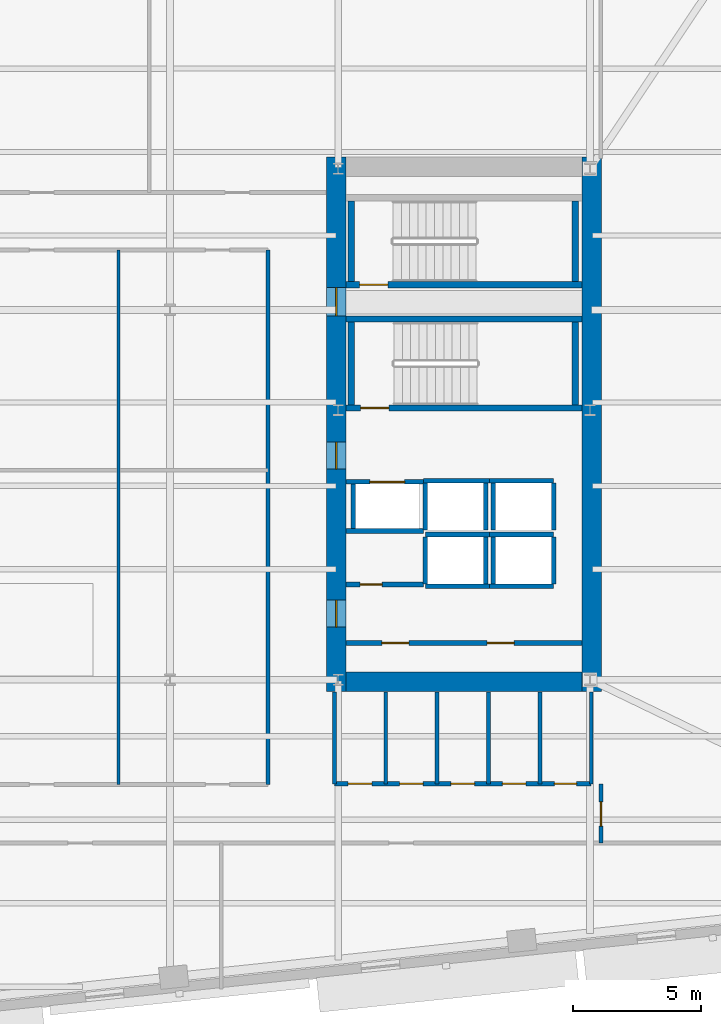
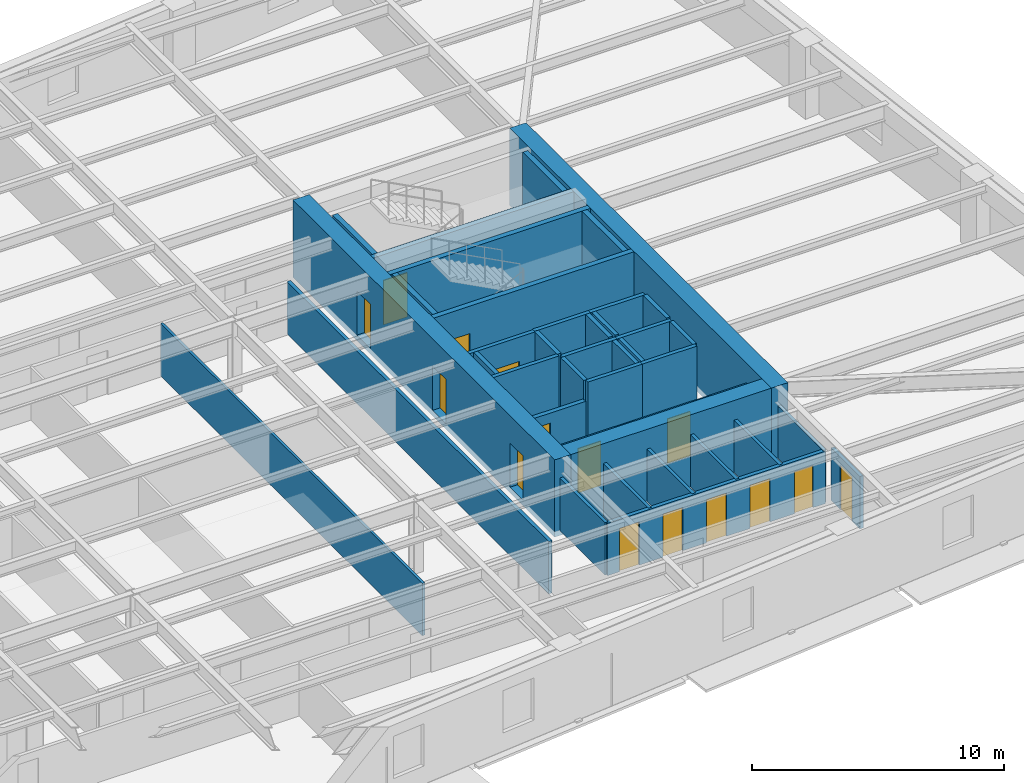
# One storey, part 6 of 12: 39 walls, 15 doors, 15 openings.
"""IFC4 building model written with IfcOpenShell, lengths in metres."""

from ifc_helpers import new_model, si_unit, direction, frame, frame_2d, origin, place, context, subcontext, project, spatial, rectangle, extrude, material, layer, layer_set, type_object, element, fill, save


model = new_model("IFC4")

# Units and contexts
model_context = context("Model", 3, precision=1e-05, world=origin(), true_north=direction((0.0, 1.0)))
body_context = subcontext(model_context, "Body", "Model", "MODEL_VIEW")
ifc_project = project(units=[si_unit("LENGTHUNIT", "METRE"), si_unit("AREAUNIT", "SQUARE_METRE"), si_unit("VOLUMEUNIT", "CUBIC_METRE"), si_unit("PLANEANGLEUNIT", "RADIAN"), si_unit("MASSUNIT", "GRAM", prefix="KILO")], contexts=[model_context])

# Site, building, storey
site_placement = place(None, origin())
site = spatial("IfcSite", under=ifc_project, at=site_placement, CompositionType="ELEMENT")
building_placement = place(site_placement, origin())
building = spatial("IfcBuilding", under=site, at=building_placement, Name="Kolvaren Arena Tower", CompositionType="ELEMENT")
storey_placement = place(building_placement, frame((0.0, 0.0, 138.25)))
storey = spatial("IfcBuildingStorey", under=building, at=storey_placement, Name="L32", CompositionType="ELEMENT", Elevation=138.25)

# Wall
ifc_material_1 = material(Name="Gypsum board acoustic assembly", Category="gypsum")
ifc_layer_1 = layer(ifc_material_1, 0.159912109375)
ifc_layer_set_1 = layer_set([ifc_layer_1], Name="Gypsum board acoustic assembly")
wall_type_1 = type_object("IfcWallType", Name="CORR-160", PredefinedType="PARTITIONING", material=ifc_layer_set_1)
wall_1_placement = place(storey_placement, frame((47.820068359375, 15.3798828125, 0.0), z_axis=(0.0, 0.0, 1.0), x_axis=(0.0, 1.0, 0.0)))
element("IfcWall", 1, at=wall_1_placement, inside=storey, type_object=wall_type_1, Name="Interior Partition Wall (L32)", PredefinedType="PARTITIONING", context=body_context, shape_type="SweptSolid", body=[
    extrude(rectangle(XDim=20.800048828125, YDim=0.159912109375, at=frame_2d((10.39990234375, 0.0))), origin(), (0.0, 0.0, 1.0), 2.5400390625),
])

# Wall, opening, door
wall_2_placement = place(storey_placement, frame((60.780029296875, 13.10009765625, 0.0), z_axis=(0.0, 0.0, 1.0), x_axis=(0.0, 1.0, 0.0)))
wall_2 = element("IfcWall", 2, at=wall_2_placement, inside=storey, type_object=wall_type_1, Name="Interior Partition Wall (L32)", PredefinedType="PARTITIONING", context=body_context, shape_type="SweptSolid", body=[
    extrude(rectangle(XDim=2.2998046875, YDim=0.159912109375, at=frame_2d((1.14990234375, 0.0))), origin(), (0.0, 0.0, 1.0), 2.5400390625),
])
opening_1_placement = place(wall_2_placement, frame((0.64990234375, 0.0, 0.0)))
opening_1 = element("IfcOpeningElement", 3, at=opening_1_placement, cuts=wall_2, Name="Opening D05", PredefinedType="OPENING", context=body_context, shape_type="SweptSolid", body=[
    extrude(rectangle(XDim=0.949951171875, YDim=2.14990234375, at=frame_2d((0.47509765625, 1.074951171875))), frame((0.0, 0.08984375, 0.0), z_axis=(0.0, -1.0, 0.0), x_axis=(1.0, 0.0, 0.0)), (0.0, 0.0, 1.0), 0.179931640625),
])
ifc_material_2 = material(Name="Solid-core oak acoustic office door", Category="wood")
door_type_1 = type_object("IfcDoorType", Name="DOOR-OF-095", OperationType="NOTDEFINED", PredefinedType="DOOR", material=ifc_material_2)
door_1_placement = place(opening_1_placement, origin())
door_1 = element("IfcDoor", 4, at=door_1_placement, inside=storey, type_object=door_type_1, Name="East Wing Studio Door (L32)", OperationType="SINGLE_SWING_RIGHT", OverallHeight=2.14990234375, OverallWidth=0.949951171875, PredefinedType="DOOR", context=body_context, shape_type="SweptSolid", body=[
    extrude(rectangle(XDim=0.949951171875, YDim=2.14990234375, at=frame_2d((0.47509765625, 1.074951171875))), frame((0.0, 0.02490234375, 0.0), z_axis=(0.0, -1.0, 0.0), x_axis=(1.0, 0.0, 0.0)), (0.0, 0.0, 1.0), 0.050048828125),
])
fill(opening_1, door_1)

# Wall, openings, doors
ifc_material_3 = material(Name="Concrete 70 MPa", Category="concrete")
ifc_layer_2 = layer(ifc_material_3, 0.75)
ifc_layer_set_2 = layer_set([ifc_layer_2], Name="Concrete 70 MPa")
wall_type_2 = type_object("IfcWallType", Name="CWALL-750", PredefinedType="SHEAR", material=ifc_layer_set_2)
wall_3_placement = place(storey_placement, frame((50.47509765625, 19.0, -0.27001953125), z_axis=(0.0, 0.0, 1.0), x_axis=(0.0, 1.0, 0.0)))
wall_3 = element("IfcWall", 5, at=wall_3_placement, inside=storey, type_object=wall_type_2, Name="Core Shear Wall EC-WEST (L32)", PredefinedType="SHEAR", context=body_context, shape_type="SweptSolid", body=[
    extrude(rectangle(XDim=20.800048828125, YDim=0.75, at=frame_2d((10.39990234375, 0.0))), origin(), (0.0, 0.0, 1.0), 3.75),
])
opening_2_placement = place(wall_3_placement, frame((2.5, 0.0, 0.27001953125)))
opening_2 = element("IfcOpeningElement", 6, at=opening_2_placement, cuts=wall_3, Name="Opening D04", PredefinedType="OPENING", context=body_context, shape_type="SweptSolid", body=[
    extrude(rectangle(XDim=1.050048828125, YDim=2.14990234375, at=frame_2d((0.52490234375, 1.074951171875))), frame((0.0, 0.385009765625, 0.0), z_axis=(0.0, -1.0, 0.0), x_axis=(1.0, 0.0, 0.0)), (0.0, 0.0, 1.0), 0.77001953125),
])
opening_3_placement = place(wall_3_placement, frame((8.64990234375, 0.0, 0.27001953125)))
opening_3 = element("IfcOpeningElement", 7, at=opening_3_placement, cuts=wall_3, Name="Opening D04", PredefinedType="OPENING", context=body_context, shape_type="SweptSolid", body=[
    extrude(rectangle(XDim=1.050048828125, YDim=2.14990234375, at=frame_2d((0.52490234375, 1.074951171875))), frame((0.0, 0.385009765625, 0.0), z_axis=(0.0, -1.0, 0.0), x_axis=(1.0, 0.0, 0.0)), (0.0, 0.0, 1.0), 0.77001953125),
])
opening_4_placement = place(wall_3_placement, frame((14.6201171875, 0.0, 0.27001953125)))
opening_4 = element("IfcOpeningElement", 8, at=opening_4_placement, cuts=wall_3, Name="Opening D03", PredefinedType="OPENING", context=body_context, shape_type="SweptSolid", body=[
    extrude(rectangle(XDim=1.10009765625, YDim=2.14990234375, at=frame_2d((0.550048828125, 1.074951171875))), frame((0.0, 0.385009765625, 0.0), z_axis=(0.0, -1.0, 0.0), x_axis=(1.0, 0.0, 0.0)), (0.0, 0.0, 1.0), 0.77001953125),
])
ifc_material_4 = material(Name="Fire-rated steel lobby door", Category="steel")
door_type_2 = type_object("IfcDoorType", Name="DOOR-FF-105", OperationType="NOTDEFINED", PredefinedType="DOOR", material=ifc_material_4)
door_2_placement = place(opening_2_placement, origin())
door_2 = element("IfcDoor", 9, at=door_2_placement, inside=storey, type_object=door_type_2, Name="East Lift Lobby Fire Door (L32)", OperationType="SINGLE_SWING_RIGHT", OverallHeight=2.14990234375, OverallWidth=1.050048828125, PredefinedType="DOOR", context=body_context, shape_type="SweptSolid", body=[
    extrude(rectangle(XDim=1.050048828125, YDim=2.14990234375, at=frame_2d((0.52490234375, 1.074951171875))), frame((0.0, 0.02490234375, 0.0), z_axis=(0.0, -1.0, 0.0), x_axis=(1.0, 0.0, 0.0)), (0.0, 0.0, 1.0), 0.050048828125),
])
fill(opening_2, door_2)
door_3_placement = place(opening_3_placement, origin())
door_3 = element("IfcDoor", 10, at=door_3_placement, inside=storey, type_object=door_type_2, Name="East Firefighter Vestibule Door (L32)", OperationType="SINGLE_SWING_LEFT", OverallHeight=2.14990234375, OverallWidth=1.050048828125, PredefinedType="DOOR", context=body_context, shape_type="SweptSolid", body=[
    extrude(rectangle(XDim=1.050048828125, YDim=2.14990234375, at=frame_2d((0.52490234375, 1.074951171875))), frame((0.0, 0.02490234375, 0.0), z_axis=(0.0, -1.0, 0.0), x_axis=(1.0, 0.0, 0.0)), (0.0, 0.0, 1.0), 0.050048828125),
])
fill(opening_3, door_3)
ifc_material_5 = material(Name="Fire-rated steel exit stair door", Category="steel")
door_type_3 = type_object("IfcDoorType", Name="DOOR-ST-110", OperationType="NOTDEFINED", PredefinedType="DOOR", material=ifc_material_5)
door_4_placement = place(opening_4_placement, origin())
door_4 = element("IfcDoor", 11, at=door_4_placement, inside=storey, type_object=door_type_3, Name="Stair ST-E2 Vestibule Fire Door (L32)", OperationType="SINGLE_SWING_LEFT", OverallHeight=2.14990234375, OverallWidth=1.10009765625, PredefinedType="DOOR", context=body_context, shape_type="SweptSolid", body=[
    extrude(rectangle(XDim=1.10009765625, YDim=2.14990234375, at=frame_2d((0.550048828125, 1.074951171875))), frame((0.0, 0.02490234375, 0.0), z_axis=(0.0, -1.0, 0.0), x_axis=(1.0, 0.0, 0.0)), (0.0, 0.0, 1.0), 0.050048828125),
])
fill(opening_4, door_4)

# Walls
wall_4_placement = place(storey_placement, frame((60.425048828125, 19.0, -0.27001953125), z_axis=(0.0, 0.0, 1.0), x_axis=(0.0, 1.0, 0.0)))
element("IfcWall", 12, at=wall_4_placement, inside=storey, type_object=wall_type_2, Name="Core Shear Wall EC-EAST (L32)", PredefinedType="SHEAR", context=body_context, shape_type="SweptSolid", body=[
    extrude(rectangle(XDim=20.800048828125, YDim=0.75, at=frame_2d((10.39990234375, 0.0))), origin(), (0.0, 0.0, 1.0), 3.75),
])
wall_5_placement = place(storey_placement, frame((50.85009765625, 19.375, -0.27001953125), z_axis=(0.0, 0.0, 1.0), x_axis=(1.0, 0.0, 0.0)))
element("IfcWall", 13, at=wall_5_placement, inside=storey, type_object=wall_type_2, Name="Core Shear Wall EC-SOUTH (L32)", PredefinedType="SHEAR", context=body_context, shape_type="SweptSolid", body=[
    extrude(rectangle(XDim=9.199951171875, YDim=0.75, at=frame_2d((4.60009765625, 0.0))), origin(), (0.0, 0.0, 1.0), 3.75),
])

# Wall, openings, doors
ifc_material_6 = material(Name="Concrete 40 MPa", Category="concrete")
ifc_layer_3 = layer(ifc_material_6, 0.199951171875)
ifc_layer_set_3 = layer_set([ifc_layer_3], Name="Concrete 40 MPa")
wall_type_3 = type_object("IfcWallType", Name="LOBBY-200", PredefinedType="SOLIDWALL", material=ifc_layer_set_3)
wall_6_placement = place(storey_placement, frame((50.85009765625, 20.8798828125, 0.0), z_axis=(0.0, 0.0, 1.0), x_axis=(1.0, 0.0, 0.0)))
wall_6 = element("IfcWall", 14, at=wall_6_placement, inside=storey, type_object=wall_type_3, Name="Core Shaft Wall (L32)", PredefinedType="SOLIDWALL", context=body_context, shape_type="SweptSolid", body=[
    extrude(rectangle(XDim=9.199951171875, YDim=0.199951171875, at=frame_2d((4.60009765625, 0.0))), origin(), (0.0, 0.0, 1.0), 2.5400390625),
])
opening_5_placement = place(wall_6_placement, frame((1.39990234375, 0.0, 0.0)))
opening_5 = element("IfcOpeningElement", 15, at=opening_5_placement, cuts=wall_6, Name="Opening D04", PredefinedType="OPENING", context=body_context, shape_type="SweptSolid", body=[
    extrude(rectangle(XDim=1.050048828125, YDim=2.14990234375, at=frame_2d((0.52490234375, 1.074951171875))), frame((0.0, 0.10986328125, 0.0), z_axis=(0.0, -1.0, 0.0), x_axis=(1.0, 0.0, 0.0)), (0.0, 0.0, 1.0), 0.219970703125),
])
opening_6_placement = place(wall_6_placement, frame((5.5, 0.0, 0.0)))
opening_6 = element("IfcOpeningElement", 16, at=opening_6_placement, cuts=wall_6, Name="Opening D04", PredefinedType="OPENING", context=body_context, shape_type="SweptSolid", body=[
    extrude(rectangle(XDim=1.050048828125, YDim=2.14990234375, at=frame_2d((0.52490234375, 1.074951171875))), frame((0.0, 0.10986328125, 0.0), z_axis=(0.0, -1.0, 0.0), x_axis=(1.0, 0.0, 0.0)), (0.0, 0.0, 1.0), 0.219970703125),
])
door_5_placement = place(opening_5_placement, origin())
door_5 = element("IfcDoor", 17, at=door_5_placement, inside=storey, type_object=door_type_2, Name="East Telecom Room Fire Door (L32)", OperationType="SINGLE_SWING_RIGHT", OverallHeight=2.14990234375, OverallWidth=1.050048828125, PredefinedType="DOOR", context=body_context, shape_type="SweptSolid", body=[
    extrude(rectangle(XDim=1.050048828125, YDim=2.14990234375, at=frame_2d((0.52490234375, 1.074951171875))), frame((0.0, 0.02490234375, 0.0), z_axis=(0.0, -1.0, 0.0), x_axis=(1.0, 0.0, 0.0)), (0.0, 0.0, 1.0), 0.050048828125),
])
fill(opening_5, door_5)
door_6_placement = place(opening_6_placement, origin())
door_6 = element("IfcDoor", 18, at=door_6_placement, inside=storey, type_object=door_type_2, Name="East Records Room Fire Door (L32)", OperationType="SINGLE_SWING_LEFT", OverallHeight=2.14990234375, OverallWidth=1.050048828125, PredefinedType="DOOR", context=body_context, shape_type="SweptSolid", body=[
    extrude(rectangle(XDim=1.050048828125, YDim=2.14990234375, at=frame_2d((0.52490234375, 1.074951171875))), frame((0.0, 0.02490234375, 0.0), z_axis=(0.0, -1.0, 0.0), x_axis=(1.0, 0.0, 0.0)), (0.0, 0.0, 1.0), 0.050048828125),
])
fill(opening_6, door_6)

# Wall, opening, door
wall_7_placement = place(storey_placement, frame((50.85009765625, 23.159912109375, 0.0), z_axis=(0.0, 0.0, 1.0), x_axis=(1.0, 0.0, 0.0)))
wall_7 = element("IfcWall", 19, at=wall_7_placement, inside=storey, type_object=wall_type_3, Name="Core Shaft Wall (L32)", PredefinedType="SOLIDWALL", context=body_context, shape_type="SweptSolid", body=[
    extrude(rectangle(XDim=3.02978515625, YDim=0.199951171875, at=frame_2d((1.514892578125, 0.0))), origin(), (0.0, 0.0, 1.0), 2.5400390625),
])
opening_7_placement = place(wall_7_placement, frame((0.550048828125, 0.0, 0.0)))
opening_7 = element("IfcOpeningElement", 20, at=opening_7_placement, cuts=wall_7, Name="Opening D09", PredefinedType="OPENING", context=body_context, shape_type="SweptSolid", body=[
    extrude(rectangle(XDim=0.860107421875, YDim=2.050048828125, at=frame_2d((0.43017578125, 1.02490234375))), frame((0.0, 0.10986328125, 0.0), z_axis=(0.0, -1.0, 0.0), x_axis=(1.0, 0.0, 0.0)), (0.0, 0.0, 1.0), 0.219970703125),
])
ifc_material_7 = material(Name="Fire-rated steel riser access door", Category="steel")
door_type_4 = type_object("IfcDoorType", Name="DOOR-RS-086", OperationType="NOTDEFINED", PredefinedType="DOOR", material=ifc_material_7)
door_7_placement = place(opening_7_placement, origin())
door_7 = element("IfcDoor", 21, at=door_7_placement, inside=storey, type_object=door_type_4, Name="East AV Riser Closet Door (L32)", OperationType="SINGLE_SWING_LEFT", OverallHeight=2.050048828125, OverallWidth=0.860107421875, PredefinedType="DOOR", context=body_context, shape_type="SweptSolid", body=[
    extrude(rectangle(XDim=0.860107421875, YDim=2.050048828125, at=frame_2d((0.43017578125, 1.02490234375))), frame((0.0, 0.02490234375, 0.0), z_axis=(0.0, -1.0, 0.0), x_axis=(1.0, 0.0, 0.0)), (0.0, 0.0, 1.0), 0.050048828125),
])
fill(opening_7, door_7)

# Wall
ifc_material_8 = material(Name="Gypsum board partition assembly", Category="gypsum")
ifc_layer_4 = layer(ifc_material_8, 0.114990234375)
ifc_layer_set_4 = layer_set([ifc_layer_4], Name="Gypsum board partition assembly")
wall_type_4 = type_object("IfcWallType", Name="PART-115", PredefinedType="PARTITIONING", material=ifc_layer_set_4)
wall_8_placement = place(storey_placement, frame((42.0, 15.3798828125, 0.0), z_axis=(0.0, 0.0, 1.0), x_axis=(0.0, 1.0, 0.0)))
element("IfcWall", 22, at=wall_8_placement, inside=storey, type_object=wall_type_4, Name="Interior Partition Wall (L32)", PredefinedType="PARTITIONING", context=body_context, shape_type="SweptSolid", body=[
    extrude(rectangle(XDim=20.800048828125, YDim=0.114990234375, at=frame_2d((10.39990234375, 0.0))), origin(), (0.0, 0.0, 1.0), 2.5400390625),
])

# Wall, opening, door
ifc_material_9 = material(Name="Concrete 45 MPa", Category="concrete")
ifc_layer_5 = layer(ifc_material_9, 0.25)
ifc_layer_set_5 = layer_set([ifc_layer_5], Name="Concrete 45 MPa")
wall_type_5 = type_object("IfcWallType", Name="SHAFT-250", PredefinedType="SOLIDWALL", material=ifc_layer_set_5)
wall_9_placement = place(storey_placement, frame((60.050048828125, 30.030029296875, 0.0), z_axis=(0.0, 0.0, 1.0), x_axis=(-1.0, 0.0, 0.0)))
wall_9 = element("IfcWall", 23, at=wall_9_placement, inside=storey, type_object=wall_type_5, Name="Core Shaft Wall (L32)", PredefinedType="SOLIDWALL", context=body_context, shape_type="SweptSolid", body=[
    extrude(rectangle(XDim=9.199951171875, YDim=0.239990234375, at=frame_2d((4.60009765625, 0.0))), origin(), (0.0, 0.0, 1.0), 3.47998046875),
])
opening_8_placement = place(wall_9_placement, frame((7.530029296875, 0.0, 0.0)))
opening_8 = element("IfcOpeningElement", 24, at=opening_8_placement, cuts=wall_9, Name="Opening D03", PredefinedType="OPENING", context=body_context, shape_type="SweptSolid", body=[
    extrude(rectangle(XDim=1.10009765625, YDim=2.14990234375, at=frame_2d((0.550048828125, 1.074951171875))), frame((0.0, 0.1298828125, 0.0), z_axis=(0.0, -1.0, 0.0), x_axis=(1.0, 0.0, 0.0)), (0.0, 0.0, 1.0), 0.260009765625),
])
door_8_placement = place(opening_8_placement, origin())
door_8 = element("IfcDoor", 25, at=door_8_placement, inside=storey, type_object=door_type_3, Name="Stair ST-E1 Fire Door (L32)", OperationType="SINGLE_SWING_LEFT", OverallHeight=2.14990234375, OverallWidth=1.10009765625, PredefinedType="DOOR", context=body_context, shape_type="SweptSolid", body=[
    extrude(rectangle(XDim=1.10009765625, YDim=2.14990234375, at=frame_2d((0.550048828125, 1.074951171875))), frame((0.0, 0.02490234375, 0.0), z_axis=(0.0, -1.0, 0.0), x_axis=(1.0, 0.0, 0.0)), (0.0, 0.0, 1.0), 0.050048828125),
])
fill(opening_8, door_8)

# Walls
wall_10_placement = place(storey_placement, frame((50.85009765625, 33.5, 0.0), z_axis=(0.0, 0.0, 1.0), x_axis=(1.0, 0.0, 0.0)))
element("IfcWall", 26, at=wall_10_placement, inside=storey, type_object=wall_type_5, Name="Core Shaft Wall (L32)", PredefinedType="SOLIDWALL", context=body_context, shape_type="SweptSolid", body=[
    extrude(rectangle(XDim=9.199951171875, YDim=0.239990234375, at=frame_2d((4.60009765625, 0.0))), origin(), (0.0, 0.0, 1.0), 3.47998046875),
])
for number, where, z_axis, x_axis, name in (
    (27, (51.06005859375, 30.14990234375, 0.0), (0.0, 0.0, 1.0), (0.0, 1.0, 0.0), "Core Shaft Wall (L32)"),
    (28, (59.780029296875, 30.14990234375, 0.0), (0.0, 0.0, 1.0), (0.0, 1.0, 0.0), "Core Shaft Wall (L32)"),
):
    element("IfcWall", number, at=place(storey_placement, frame(where, z_axis=z_axis, x_axis=x_axis)), inside=storey, type_object=wall_type_5, Name=name, PredefinedType="SOLIDWALL", context=body_context, shape_type="SweptSolid", body=[
        extrude(rectangle(XDim=3.22998046875, YDim=0.239990234375, at=frame_2d((1.614990234375, 0.0))), origin(), (0.0, 0.0, 1.0), 3.47998046875),
    ])

# Wall, opening, door
wall_11_placement = place(storey_placement, frame((60.050048828125, 34.830078125, 0.0), z_axis=(0.0, 0.0, 1.0), x_axis=(-1.0, 0.0, 0.0)))
wall_11 = element("IfcWall", 29, at=wall_11_placement, inside=storey, type_object=wall_type_5, Name="Core Shaft Wall (L32)", PredefinedType="SOLIDWALL", context=body_context, shape_type="SweptSolid", body=[
    extrude(rectangle(XDim=9.199951171875, YDim=0.239990234375, at=frame_2d((4.60009765625, 0.0))), origin(), (0.0, 0.0, 1.0), 3.47998046875),
])
opening_9_placement = place(wall_11_placement, frame((7.570068359375, 0.0, 0.0)))
opening_9 = element("IfcOpeningElement", 30, at=opening_9_placement, cuts=wall_11, Name="Opening D03", PredefinedType="OPENING", context=body_context, shape_type="SweptSolid", body=[
    extrude(rectangle(XDim=1.10009765625, YDim=2.14990234375, at=frame_2d((0.550048828125, 1.074951171875))), frame((0.0, 0.1298828125, 0.0), z_axis=(0.0, -1.0, 0.0), x_axis=(1.0, 0.0, 0.0)), (0.0, 0.0, 1.0), 0.260009765625),
])
door_9_placement = place(opening_9_placement, origin())
door_9 = element("IfcDoor", 31, at=door_9_placement, inside=storey, type_object=door_type_3, Name="Stair ST-E2 Fire Door (L32)", OperationType="SINGLE_SWING_LEFT", OverallHeight=2.14990234375, OverallWidth=1.10009765625, PredefinedType="DOOR", context=body_context, shape_type="SweptSolid", body=[
    extrude(rectangle(XDim=1.10009765625, YDim=2.14990234375, at=frame_2d((0.550048828125, 1.074951171875))), frame((0.0, 0.02490234375, 0.0), z_axis=(0.0, -1.0, 0.0), x_axis=(1.0, 0.0, 0.0)), (0.0, 0.0, 1.0), 0.050048828125),
])
fill(opening_9, door_9)

# Walls
for number, where, z_axis, x_axis, name in (
    (32, (51.06005859375, 34.949951171875, 0.0), (0.0, 0.0, 1.0), (0.0, 1.0, 0.0), "Core Shaft Wall (L32)"),
    (33, (59.780029296875, 34.949951171875, 0.0), (0.0, 0.0, 1.0), (0.0, 1.0, 0.0), "Core Shaft Wall (L32)"),
):
    element("IfcWall", number, at=place(storey_placement, frame(where, z_axis=z_axis, x_axis=x_axis)), inside=storey, type_object=wall_type_5, Name=name, PredefinedType="SOLIDWALL", context=body_context, shape_type="SweptSolid", body=[
        extrude(rectangle(XDim=3.150146484375, YDim=0.239990234375, at=frame_2d((1.5751953125, 0.0))), origin(), (0.0, 0.0, 1.0), 3.47998046875),
    ])
for number, where, z_axis, x_axis, name in (
    (34, (53.93994140625, 25.10498046875, 0.0), (0.0, 0.0, 1.0), (1.0, 0.0, 0.0), "Core Shaft Wall (L32)"),
    (35, (53.93994140625, 23.094970703125, 0.0), (0.0, 0.0, 1.0), (1.0, 0.0, 0.0), "Core Shaft Wall (L32)"),
):
    element("IfcWall", number, at=place(storey_placement, frame(where, z_axis=z_axis, x_axis=x_axis)), inside=storey, type_object=wall_type_5, Name=name, PredefinedType="SOLIDWALL", context=body_context, shape_type="SweptSolid", body=[
        extrude(rectangle(XDim=2.5, YDim=0.179931640625, at=frame_2d((1.25, 0.0))), origin(), (0.0, 0.0, 1.0), 3.47998046875),
    ])
for number, where, z_axis, x_axis, name in (
    (36, (53.93994140625, 23.18505859375, 0.0), (0.0, 0.0, 1.0), (0.0, 1.0, 0.0), "Core Shaft Wall (L32)"),
    (37, (56.300048828125, 23.18505859375, 0.0), (0.0, 0.0, 1.0), (0.0, 1.0, 0.0), "Core Shaft Wall (L32)"),
):
    element("IfcWall", number, at=place(storey_placement, frame(where, z_axis=z_axis, x_axis=x_axis)), inside=storey, type_object=wall_type_5, Name=name, PredefinedType="SOLIDWALL", context=body_context, shape_type="SweptSolid", body=[
        extrude(rectangle(XDim=1.829833984375, YDim=0.179931640625, at=frame_2d((0.9150390625, 0.0))), origin(), (0.0, 0.0, 1.0), 3.47998046875),
    ])
for number, where, z_axis, x_axis, name in (
    (38, (56.43994140625, 25.10498046875, 0.0), (0.0, 0.0, 1.0), (1.0, 0.0, 0.0), "Core Shaft Wall (L32)"),
    (39, (56.43994140625, 23.094970703125, 0.0), (0.0, 0.0, 1.0), (1.0, 0.0, 0.0), "Core Shaft Wall (L32)"),
):
    element("IfcWall", number, at=place(storey_placement, frame(where, z_axis=z_axis, x_axis=x_axis)), inside=storey, type_object=wall_type_5, Name=name, PredefinedType="SOLIDWALL", context=body_context, shape_type="SweptSolid", body=[
        extrude(rectangle(XDim=2.5, YDim=0.179931640625, at=frame_2d((1.25, 0.0))), origin(), (0.0, 0.0, 1.0), 3.47998046875),
    ])
for number, where, z_axis, x_axis, name in (
    (40, (56.580078125, 23.18505859375, 0.0), (0.0, 0.0, 1.0), (0.0, 1.0, 0.0), "Core Shaft Wall (L32)"),
    (41, (58.93994140625, 23.18505859375, 0.0), (0.0, 0.0, 1.0), (0.0, 1.0, 0.0), "Core Shaft Wall (L32)"),
):
    element("IfcWall", number, at=place(storey_placement, frame(where, z_axis=z_axis, x_axis=x_axis)), inside=storey, type_object=wall_type_5, Name=name, PredefinedType="SOLIDWALL", context=body_context, shape_type="SweptSolid", body=[
        extrude(rectangle(XDim=1.829833984375, YDim=0.179931640625, at=frame_2d((0.9150390625, 0.0))), origin(), (0.0, 0.0, 1.0), 3.47998046875),
    ])
wall_12_placement = place(storey_placement, frame((53.864990234375, 27.205078125, 0.0), z_axis=(0.0, 0.0, 1.0), x_axis=(1.0, 0.0, 0.0)))
element("IfcWall", 42, at=wall_12_placement, inside=storey, type_object=wall_type_5, Name="Core Shaft Wall (L32)", PredefinedType="SOLIDWALL", context=body_context, shape_type="SweptSolid", body=[
    extrude(rectangle(XDim=2.574951171875, YDim=0.179931640625, at=frame_2d((1.28759765625, 0.0))), origin(), (0.0, 0.0, 1.0), 3.47998046875),
])
for number, where, z_axis, x_axis, name in (
    (43, (53.93994140625, 25.284912109375, 0.0), (0.0, 0.0, 1.0), (0.0, 1.0, 0.0), "Core Shaft Wall (L32)"),
    (44, (56.300048828125, 25.284912109375, 0.0), (0.0, 0.0, 1.0), (0.0, 1.0, 0.0), "Core Shaft Wall (L32)"),
):
    element("IfcWall", number, at=place(storey_placement, frame(where, z_axis=z_axis, x_axis=x_axis)), inside=storey, type_object=wall_type_5, Name=name, PredefinedType="SOLIDWALL", context=body_context, shape_type="SweptSolid", body=[
        extrude(rectangle(XDim=1.830078125, YDim=0.179931640625, at=frame_2d((0.9150390625, 0.0))), origin(), (0.0, 0.0, 1.0), 3.47998046875),
    ])
wall_13_placement = place(storey_placement, frame((56.43994140625, 27.205078125, 0.0), z_axis=(0.0, 0.0, 1.0), x_axis=(1.0, 0.0, 0.0)))
element("IfcWall", 45, at=wall_13_placement, inside=storey, type_object=wall_type_5, Name="Core Shaft Wall (L32)", PredefinedType="SOLIDWALL", context=body_context, shape_type="SweptSolid", body=[
    extrude(rectangle(XDim=2.5, YDim=0.179931640625, at=frame_2d((1.25, 0.0))), origin(), (0.0, 0.0, 1.0), 3.47998046875),
])
for number, where, z_axis, x_axis, name in (
    (46, (56.580078125, 25.284912109375, 0.0), (0.0, 0.0, 1.0), (0.0, 1.0, 0.0), "Core Shaft Wall (L32)"),
    (47, (58.93994140625, 25.284912109375, 0.0), (0.0, 0.0, 1.0), (0.0, 1.0, 0.0), "Core Shaft Wall (L32)"),
):
    element("IfcWall", number, at=place(storey_placement, frame(where, z_axis=z_axis, x_axis=x_axis)), inside=storey, type_object=wall_type_5, Name=name, PredefinedType="SOLIDWALL", context=body_context, shape_type="SweptSolid", body=[
        extrude(rectangle(XDim=1.830078125, YDim=0.179931640625, at=frame_2d((0.9150390625, 0.0))), origin(), (0.0, 0.0, 1.0), 3.47998046875),
    ])

# Wall, opening, door
wall_14_placement = place(storey_placement, frame((50.85009765625, 27.155029296875, 0.0), z_axis=(0.0, 0.0, 1.0), x_axis=(1.0, 0.0, 0.0)))
wall_14 = element("IfcWall", 48, at=wall_14_placement, inside=storey, type_object=wall_type_5, Name="Core Shaft Wall (L32)", PredefinedType="SOLIDWALL", context=body_context, shape_type="SweptSolid", body=[
    extrude(rectangle(XDim=3.014892578125, YDim=0.179931640625, at=frame_2d((1.50732421875, 0.0))), origin(), (0.0, 0.0, 1.0), 3.47998046875),
])
opening_10_placement = place(wall_14_placement, frame((0.93505859375, 0.0, 0.0)))
opening_10 = element("IfcOpeningElement", 49, at=opening_10_placement, cuts=wall_14, Name="Opening LD2", PredefinedType="OPENING", context=body_context, shape_type="SweptSolid", body=[
    extrude(rectangle(XDim=1.35009765625, YDim=2.300048828125, at=frame_2d((0.675048828125, 1.14990234375))), frame((0.0, 0.099853515625, 0.0), z_axis=(0.0, -1.0, 0.0), x_axis=(1.0, 0.0, 0.0)), (0.0, 0.0, 1.0), 0.199951171875),
])
ifc_material_10 = material(Name="Stainless steel firefighter lift landing door", Category="steel")
door_type_5 = type_object("IfcDoorType", Name="DOOR-LD-135", OperationType="DOUBLE_DOOR_SLIDING", PredefinedType="DOOR", material=ifc_material_10)
door_10_placement = place(opening_10_placement, origin())
door_10 = element("IfcDoor", 50, at=door_10_placement, inside=storey, type_object=door_type_5, Name="Firefighter Lift FF-E1 Landing Door (L32)", OperationType="DOUBLE_DOOR_SLIDING", OverallHeight=2.300048828125, OverallWidth=1.35009765625, PredefinedType="DOOR", context=body_context, shape_type="SweptSolid", body=[
    extrude(rectangle(XDim=1.35009765625, YDim=2.300048828125, at=frame_2d((0.675048828125, 1.14990234375))), frame((0.0, 0.02490234375, 0.0), z_axis=(0.0, -1.0, 0.0), x_axis=(1.0, 0.0, 0.0)), (0.0, 0.0, 1.0), 0.050048828125),
])
fill(opening_10, door_10)

# Walls
wall_15_placement = place(storey_placement, frame((50.85009765625, 25.2451171875, 0.0), z_axis=(0.0, 0.0, 1.0), x_axis=(1.0, 0.0, 0.0)))
element("IfcWall", 51, at=wall_15_placement, inside=storey, type_object=wall_type_5, Name="Core Shaft Wall (L32)", PredefinedType="SOLIDWALL", context=body_context, shape_type="SweptSolid", body=[
    extrude(rectangle(XDim=3.014892578125, YDim=0.179931640625, at=frame_2d((1.50732421875, 0.0))), origin(), (0.0, 0.0, 1.0), 3.47998046875),
])
wall_16_placement = place(storey_placement, frame((51.1298828125, 25.3349609375, 0.0), z_axis=(0.0, 0.0, 1.0), x_axis=(0.0, 1.0, 0.0)))
element("IfcWall", 52, at=wall_16_placement, inside=storey, type_object=wall_type_5, Name="Core Shaft Wall (L32)", PredefinedType="SOLIDWALL", context=body_context, shape_type="SweptSolid", body=[
    extrude(rectangle(XDim=1.72998046875, YDim=0.179931640625, at=frame_2d((0.864990234375, 0.0))), origin(), (0.0, 0.0, 1.0), 3.47998046875),
])

# Wall, openings, doors
wall_17_placement = place(storey_placement, frame((50.39990234375, 15.39990234375, 0.0), z_axis=(0.0, 0.0, 1.0), x_axis=(1.0, 0.0, 0.0)))
wall_17 = element("IfcWall", 53, at=wall_17_placement, inside=storey, type_object=wall_type_5, Name="Interior Partition Wall (L32)", PredefinedType="SOLIDWALL", context=body_context, shape_type="SweptSolid", body=[
    extrude(rectangle(XDim=10.0, YDim=0.179931640625, at=frame_2d((5.0, 0.0))), origin(), (0.0, 0.0, 1.0), 2.5400390625),
])
opening_11_placement = place(wall_17_placement, frame((0.5400390625, 0.0, 0.0)))
opening_11 = element("IfcOpeningElement", 54, at=opening_11_placement, cuts=wall_17, Name="Opening D07", PredefinedType="OPENING", context=body_context, shape_type="SweptSolid", body=[
    extrude(rectangle(XDim=0.919921875, YDim=2.10009765625, at=frame_2d((0.4599609375, 1.050048828125))), frame((0.0, 0.099853515625, 0.0), z_axis=(0.0, -1.0, 0.0), x_axis=(1.0, 0.0, 0.0)), (0.0, 0.0, 1.0), 0.199951171875),
])
opening_12_placement = place(wall_17_placement, frame((2.5400390625, 0.0, 0.0)))
opening_12 = element("IfcOpeningElement", 55, at=opening_12_placement, cuts=wall_17, Name="Opening D07", PredefinedType="OPENING", context=body_context, shape_type="SweptSolid", body=[
    extrude(rectangle(XDim=0.919921875, YDim=2.10009765625, at=frame_2d((0.4599609375, 1.050048828125))), frame((0.0, 0.099853515625, 0.0), z_axis=(0.0, -1.0, 0.0), x_axis=(1.0, 0.0, 0.0)), (0.0, 0.0, 1.0), 0.199951171875),
])
opening_13_placement = place(wall_17_placement, frame((4.5400390625, 0.0, 0.0)))
opening_13 = element("IfcOpeningElement", 56, at=opening_13_placement, cuts=wall_17, Name="Opening D07", PredefinedType="OPENING", context=body_context, shape_type="SweptSolid", body=[
    extrude(rectangle(XDim=0.919921875, YDim=2.10009765625, at=frame_2d((0.4599609375, 1.050048828125))), frame((0.0, 0.099853515625, 0.0), z_axis=(0.0, -1.0, 0.0), x_axis=(1.0, 0.0, 0.0)), (0.0, 0.0, 1.0), 0.199951171875),
])
opening_14_placement = place(wall_17_placement, frame((6.5400390625, 0.0, 0.0)))
opening_14 = element("IfcOpeningElement", 57, at=opening_14_placement, cuts=wall_17, Name="Opening D07", PredefinedType="OPENING", context=body_context, shape_type="SweptSolid", body=[
    extrude(rectangle(XDim=0.919921875, YDim=2.10009765625, at=frame_2d((0.4599609375, 1.050048828125))), frame((0.0, 0.099853515625, 0.0), z_axis=(0.0, -1.0, 0.0), x_axis=(1.0, 0.0, 0.0)), (0.0, 0.0, 1.0), 0.199951171875),
])
opening_15_placement = place(wall_17_placement, frame((8.570068359375, 0.0, 0.0)))
opening_15 = element("IfcOpeningElement", 58, at=opening_15_placement, cuts=wall_17, Name="Opening D09", PredefinedType="OPENING", context=body_context, shape_type="SweptSolid", body=[
    extrude(rectangle(XDim=0.860107421875, YDim=2.050048828125, at=frame_2d((0.43017578125, 1.02490234375))), frame((0.0, 0.099853515625, 0.0), z_axis=(0.0, -1.0, 0.0), x_axis=(1.0, 0.0, 0.0)), (0.0, 0.0, 1.0), 0.199951171875),
])
door_11_placement = place(opening_15_placement, origin())
door_11 = element("IfcDoor", 59, at=door_11_placement, inside=storey, type_object=door_type_4, Name="Telecom Riser Closet Door (L32)", OperationType="SINGLE_SWING_RIGHT", OverallHeight=2.050048828125, OverallWidth=0.860107421875, PredefinedType="DOOR", context=body_context, shape_type="SweptSolid", body=[
    extrude(rectangle(XDim=0.860107421875, YDim=2.050048828125, at=frame_2d((0.43017578125, 1.02490234375))), frame((0.0, 0.02490234375, 0.0), z_axis=(0.0, -1.0, 0.0), x_axis=(1.0, 0.0, 0.0)), (0.0, 0.0, 1.0), 0.050048828125),
])
fill(opening_15, door_11)
ifc_material_11 = material(Name="Laminate universal washroom door", Category="wood")
door_type_6 = type_object("IfcDoorType", Name="DOOR-WC-092", OperationType="NOTDEFINED", PredefinedType="DOOR", material=ifc_material_11)
door_12_placement = place(opening_11_placement, origin())
door_12 = element("IfcDoor", 60, at=door_12_placement, inside=storey, type_object=door_type_6, Name="First Aid Store Door (L32)", OperationType="SINGLE_SWING_RIGHT", OverallHeight=2.10009765625, OverallWidth=0.919921875, PredefinedType="DOOR", context=body_context, shape_type="SweptSolid", body=[
    extrude(rectangle(XDim=0.919921875, YDim=2.10009765625, at=frame_2d((0.4599609375, 1.050048828125))), frame((0.0, 0.02490234375, 0.0), z_axis=(0.0, -1.0, 0.0), x_axis=(1.0, 0.0, 0.0)), (0.0, 0.0, 1.0), 0.050048828125),
])
fill(opening_11, door_12)
door_13_placement = place(opening_12_placement, origin())
door_13 = element("IfcDoor", 61, at=door_13_placement, inside=storey, type_object=door_type_6, Name="Cleaner and Janitor Store Door (L32)", OperationType="SINGLE_SWING_LEFT", OverallHeight=2.10009765625, OverallWidth=0.919921875, PredefinedType="DOOR", context=body_context, shape_type="SweptSolid", body=[
    extrude(rectangle(XDim=0.919921875, YDim=2.10009765625, at=frame_2d((0.4599609375, 1.050048828125))), frame((0.0, 0.02490234375, 0.0), z_axis=(0.0, -1.0, 0.0), x_axis=(1.0, 0.0, 0.0)), (0.0, 0.0, 1.0), 0.050048828125),
])
fill(opening_12, door_13)
door_14_placement = place(opening_13_placement, origin())
door_14 = element("IfcDoor", 62, at=door_14_placement, inside=storey, type_object=door_type_6, Name="Staff Pantry Door (L32)", OperationType="SINGLE_SWING_RIGHT", OverallHeight=2.10009765625, OverallWidth=0.919921875, PredefinedType="DOOR", context=body_context, shape_type="SweptSolid", body=[
    extrude(rectangle(XDim=0.919921875, YDim=2.10009765625, at=frame_2d((0.4599609375, 1.050048828125))), frame((0.0, 0.02490234375, 0.0), z_axis=(0.0, -1.0, 0.0), x_axis=(1.0, 0.0, 0.0)), (0.0, 0.0, 1.0), 0.050048828125),
])
fill(opening_13, door_14)
door_15_placement = place(opening_14_placement, origin())
door_15 = element("IfcDoor", 63, at=door_15_placement, inside=storey, type_object=door_type_6, Name="Gender-Neutral Washroom Door (L32)", OperationType="SINGLE_SWING_LEFT", OverallHeight=2.10009765625, OverallWidth=0.919921875, PredefinedType="DOOR", context=body_context, shape_type="SweptSolid", body=[
    extrude(rectangle(XDim=0.919921875, YDim=2.10009765625, at=frame_2d((0.4599609375, 1.050048828125))), frame((0.0, 0.02490234375, 0.0), z_axis=(0.0, -1.0, 0.0), x_axis=(1.0, 0.0, 0.0)), (0.0, 0.0, 1.0), 0.050048828125),
])
fill(opening_14, door_15)

# Walls
ifc_material_12 = material(Name="Moisture-resistant gypsum assembly", Category="gypsum")
ifc_layer_6 = layer(ifc_material_12, 0.14990234375)
ifc_layer_set_6 = layer_set([ifc_layer_6], Name="Moisture-resistant gypsum assembly")
wall_type_6 = type_object("IfcWallType", Name="WETW-150", PredefinedType="PARTITIONING", material=ifc_layer_set_6)
for number, where, z_axis, x_axis, name in (
    (64, (52.39990234375, 15.39990234375, 0.0), (0.0, 0.0, 1.0), (0.0, 1.0, 0.0), "Interior Partition Wall (L32)"),
    (65, (54.39990234375, 15.39990234375, 0.0), (0.0, 0.0, 1.0), (0.0, 1.0, 0.0), "Interior Partition Wall (L32)"),
    (66, (56.39990234375, 15.39990234375, 0.0), (0.0, 0.0, 1.0), (0.0, 1.0, 0.0), "Interior Partition Wall (L32)"),
    (67, (58.39990234375, 15.39990234375, 0.0), (0.0, 0.0, 1.0), (0.0, 1.0, 0.0), "Interior Partition Wall (L32)"),
    (68, (50.39990234375, 15.39990234375, 0.0), (0.0, 0.0, 1.0), (0.0, 1.0, 0.0), "Interior Partition Wall (L32)"),
    (69, (60.39990234375, 15.39990234375, 0.0), (0.0, 0.0, 1.0), (0.0, 1.0, 0.0), "Interior Partition Wall (L32)"),
):
    element("IfcWall", number, at=place(storey_placement, frame(where, z_axis=z_axis, x_axis=x_axis)), inside=storey, type_object=wall_type_6, Name=name, PredefinedType="PARTITIONING", context=body_context, shape_type="SweptSolid", body=[
        extrude(rectangle(XDim=3.580078125, YDim=0.14990234375, at=frame_2d((1.7900390625, 0.0))), origin(), (0.0, 0.0, 1.0), 2.5400390625),
    ])

save(model, "model.ifc")
